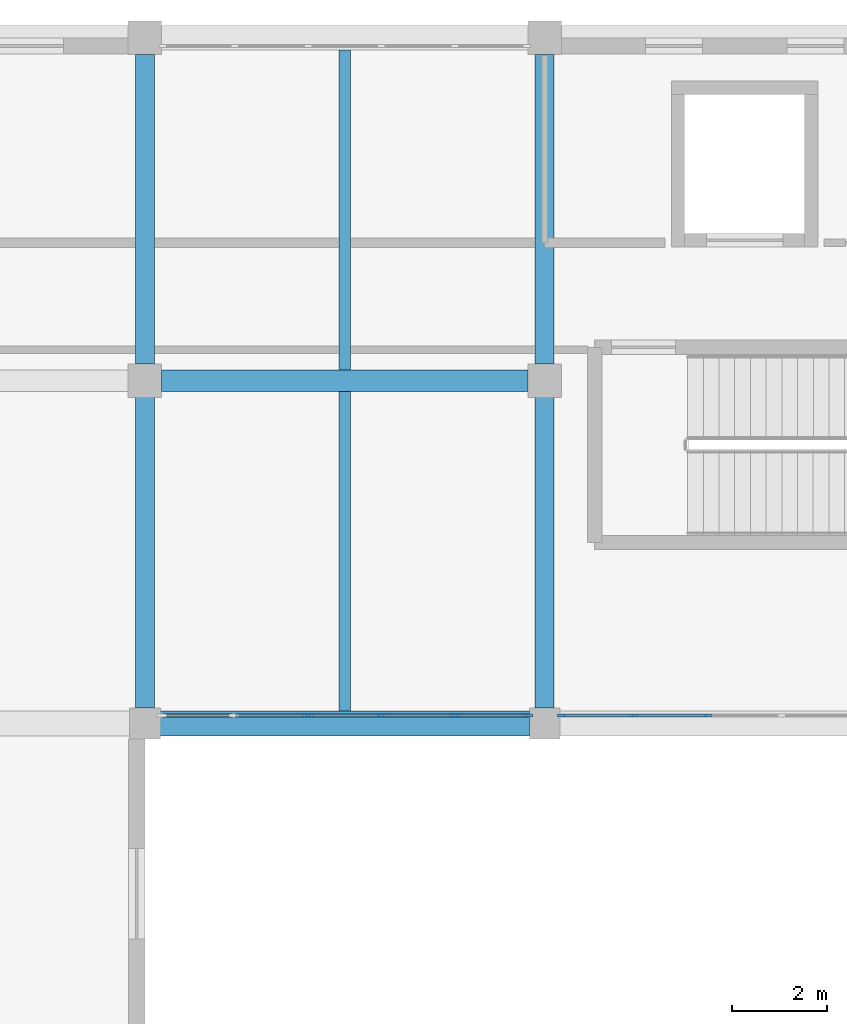
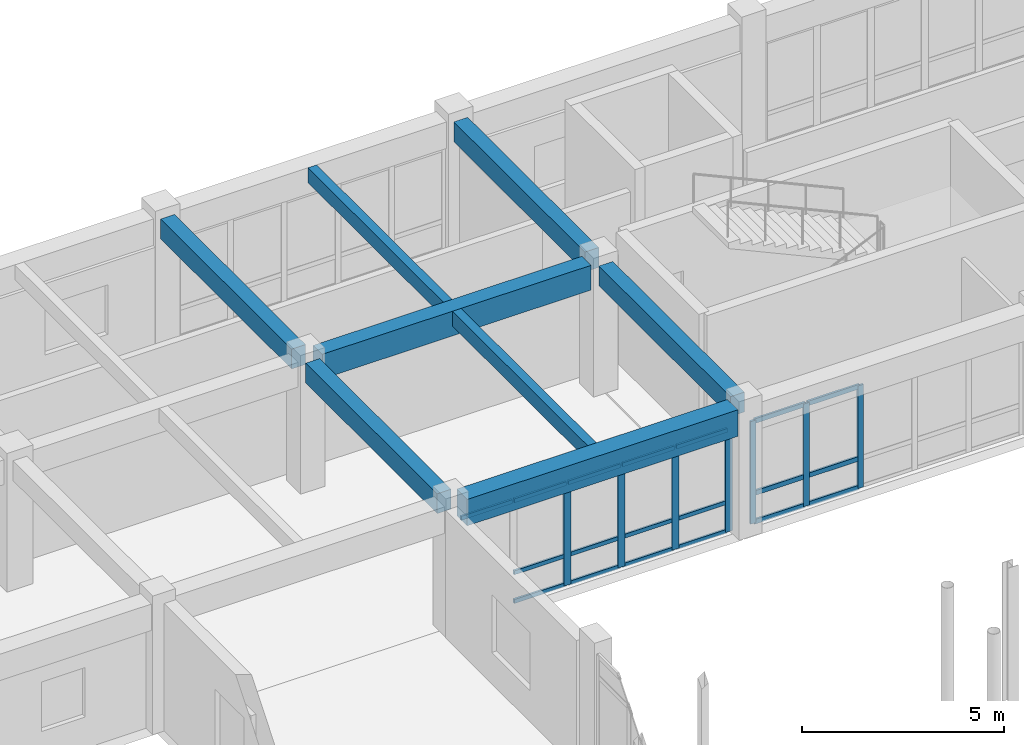
# One storey, part 75 of 147: 26 members, 8 beams, 2 elements without a shape of their own.
"""IFC4 building model written with IfcOpenShell, lengths in metres."""

from ifc_helpers import new_model, si_unit, direction, frame, origin, origin_2d, place, context, subcontext, project, spatial, rectangle, extrude, material, material_profile, profile_set, type_object, element, aggregate, save


model = new_model("IFC4")

# Units and contexts
model_context = context("Model", 3, precision=1e-05, world=origin(), true_north=direction((0.0, 1.0)))
body_context = subcontext(model_context, "Body", "Model", "MODEL_VIEW")
ifc_project = project(units=[si_unit("LENGTHUNIT", "METRE"), si_unit("AREAUNIT", "SQUARE_METRE"), si_unit("VOLUMEUNIT", "CUBIC_METRE"), si_unit("PLANEANGLEUNIT", "RADIAN"), si_unit("MASSUNIT", "GRAM", prefix="KILO")], contexts=[model_context])

# Site, building, storey
site_placement = place(None, origin())
site = spatial("IfcSite", under=ifc_project, at=site_placement, CompositionType="ELEMENT")
building_placement = place(site_placement, origin())
building = spatial("IfcBuilding", under=site, at=building_placement, Name="Malvenik Polytechnic", CompositionType="ELEMENT")
storey_placement = place(building_placement, frame((0.0, 0.0, 5.10009765625)))
storey = spatial("IfcBuildingStorey", under=building, at=storey_placement, Name="L01", CompositionType="ELEMENT", Elevation=5.10009765625)

# Curtain wall, members
ifc_material_1 = material(Name="Anodised aluminium 6060-T6", Category="aluminium")
curtain_wall_type = type_object("IfcCurtainWallType", Name="ARC-CW-CW-02", PredefinedType="NOTDEFINED", material=ifc_material_1)
curtain_wall_1_placement = place(storey_placement, origin())
curtain_wall_1 = element("IfcCurtainWall", 1, at=curtain_wall_1_placement, inside=storey, type_object=curtain_wall_type, Name="Unitised Curtain Wall CW-02 L01 #56", PredefinedType="NOTDEFINED")
ifc_material_2 = material(Name="Anodised aluminium", Category="aluminium")
ifc_material_profile_1 = material_profile(ifc_material_2, rectangle(XDim=0.06005859375, YDim=0.159912109375, at=origin_2d()), Name="ALU MULLION 60x160")
ifc_profile_set_1 = profile_set([ifc_material_profile_1], Name="Anodised aluminium")
member_type_1 = type_object("IfcMemberType", Name="ARC-CWM-160", PredefinedType="MULLION", material=ifc_profile_set_1)
member_1_placement = place(storey_placement, frame((95.82470703125, 115.3701171875, 0.0), z_axis=(0.0, 0.0, 1.0), x_axis=(0.0, -1.0, 0.0)))
member_1 = element("IfcMember", 2, at=member_1_placement, type_object=member_type_1, Name="CW-02 mullion 4", PredefinedType="MULLION", context=body_context, shape_type="SweptSolid", body=[
    extrude(rectangle(XDim=0.06005859375, YDim=0.159912109375, at=origin_2d()), origin(), (0.0, 0.0, 1.0), 3.10986328125),
])
member_2_placement = place(storey_placement, frame((94.273681640625, 115.3701171875, 0.0), z_axis=(0.0, 0.0, 1.0), x_axis=(0.0, -1.0, 0.0)))
member_2 = element("IfcMember", 3, at=member_2_placement, type_object=member_type_1, Name="CW-02 mullion 5", PredefinedType="MULLION", context=body_context, shape_type="SweptSolid", body=[
    extrude(rectangle(XDim=0.06005859375, YDim=0.159912109375, at=origin_2d()), origin(), (0.0, 0.0, 1.0), 3.10986328125),
])
member_3_placement = place(storey_placement, frame((92.7529296875, 115.3701171875, 0.0), z_axis=(0.0, 0.0, 1.0), x_axis=(0.0, -1.0, 0.0)))
member_3 = element("IfcMember", 4, at=member_3_placement, type_object=member_type_1, Name="CW-02 mullion 6", PredefinedType="MULLION", context=body_context, shape_type="SweptSolid", body=[
    extrude(rectangle(XDim=0.06005859375, YDim=0.159912109375, at=origin_2d()), origin(), (0.0, 0.0, 1.0), 3.10986328125),
])

curtain_wall_2_placement = place(storey_placement, origin())
curtain_wall_2 = element("IfcCurtainWall", 5, at=curtain_wall_2_placement, inside=storey, type_object=curtain_wall_type, Name="Unitised Curtain Wall CW-02 L01 #57", PredefinedType="NOTDEFINED")
ifc_material_profile_2 = material_profile(ifc_material_2, rectangle(XDim=0.06005859375, YDim=0.199951171875, at=origin_2d()), Name="ALU MULLION 60x200")
ifc_profile_set_2 = profile_set([ifc_material_profile_2], Name="Anodised aluminium")
member_type_2 = type_object("IfcMemberType", Name="ARC-CWM-200", PredefinedType="MULLION", material=ifc_profile_set_2)
member_4_placement = place(storey_placement, frame((92.047119140625, 115.3701171875, 0.0), z_axis=(0.0, 0.0, 1.0), x_axis=(0.0, -1.0, 0.0)))
member_4 = element("IfcMember", 6, at=member_4_placement, type_object=member_type_2, Name="CW-02 mullion 1", PredefinedType="MULLION", context=body_context, shape_type="SweptSolid", body=[
    extrude(rectangle(XDim=0.06005859375, YDim=0.199951171875, at=origin_2d()), origin(), (0.0, 0.0, 1.0), 3.10986328125),
])
member_5_placement = place(storey_placement, frame((90.526123046875, 115.3701171875, 0.0), z_axis=(0.0, 0.0, 1.0), x_axis=(0.0, -1.0, 0.0)))
member_5 = element("IfcMember", 7, at=member_5_placement, type_object=member_type_2, Name="CW-02 mullion 2", PredefinedType="MULLION", context=body_context, shape_type="SweptSolid", body=[
    extrude(rectangle(XDim=0.06005859375, YDim=0.199951171875, at=origin_2d()), origin(), (0.0, 0.0, 1.0), 3.10986328125),
])
member_6_placement = place(storey_placement, frame((88.975341796875, 115.3701171875, 0.0), z_axis=(0.0, 0.0, 1.0), x_axis=(0.0, -1.0, 0.0)))
member_6 = element("IfcMember", 8, at=member_6_placement, type_object=member_type_2, Name="CW-02 mullion 3", PredefinedType="MULLION", context=body_context, shape_type="SweptSolid", body=[
    extrude(rectangle(XDim=0.06005859375, YDim=0.199951171875, at=origin_2d()), origin(), (0.0, 0.0, 1.0), 3.10986328125),
])
member_7_placement = place(storey_placement, frame((87.424560546875, 115.3701171875, 0.0), z_axis=(0.0, 0.0, 1.0), x_axis=(0.0, -1.0, 0.0)))
member_7 = element("IfcMember", 9, at=member_7_placement, type_object=member_type_2, Name="CW-02 mullion 4", PredefinedType="MULLION", context=body_context, shape_type="SweptSolid", body=[
    extrude(rectangle(XDim=0.06005859375, YDim=0.199951171875, at=origin_2d()), origin(), (0.0, 0.0, 1.0), 3.10986328125),
])
ifc_material_profile_3 = material_profile(ifc_material_2, rectangle(XDim=0.06005859375, YDim=0.1201171875, at=origin_2d()), Name="ALU TRANSOM 60x120")
ifc_profile_set_3 = profile_set([ifc_material_profile_3], Name="Anodised aluminium")
member_type_3 = type_object("IfcMemberType", Name="ARC-CWT-120", PredefinedType="USERDEFINED", material=ifc_profile_set_3)
member_8_placement = place(storey_placement, frame((92.01708984375, 115.3701171875, 0.02978515625), z_axis=(-1.0, 0.0, 0.0), x_axis=(0.0, -1.0, 0.0)))
member_8 = element("IfcMember", 10, at=member_8_placement, type_object=member_type_3, Name="CW-02 transom 1.1", ObjectType="TRANSOM", PredefinedType="USERDEFINED", context=body_context, shape_type="SweptSolid", body=[
    extrude(rectangle(XDim=0.06005859375, YDim=0.1201171875, at=origin_2d()), origin(), (0.0, 0.0, 1.0), 1.4609375),
])
member_9_placement = place(storey_placement, frame((92.01708984375, 115.3701171875, 0.89990234375), z_axis=(-1.0, 0.0, 0.0), x_axis=(0.0, -1.0, 0.0)))
member_9 = element("IfcMember", 11, at=member_9_placement, type_object=member_type_3, Name="CW-02 transom 1.2", ObjectType="TRANSOM", PredefinedType="USERDEFINED", context=body_context, shape_type="SweptSolid", body=[
    extrude(rectangle(XDim=0.06005859375, YDim=0.1201171875, at=origin_2d()), origin(), (0.0, 0.0, 1.0), 1.4609375),
])
member_10_placement = place(storey_placement, frame((92.01708984375, 115.3701171875, 3.079833984375), z_axis=(-1.0, 0.0, 0.0), x_axis=(0.0, -1.0, 0.0)))
member_10 = element("IfcMember", 12, at=member_10_placement, type_object=member_type_3, Name="CW-02 transom 1.3", ObjectType="TRANSOM", PredefinedType="USERDEFINED", context=body_context, shape_type="SweptSolid", body=[
    extrude(rectangle(XDim=0.06005859375, YDim=0.1201171875, at=origin_2d()), origin(), (0.0, 0.0, 1.0), 1.4609375),
])
member_11_placement = place(storey_placement, frame((90.49609375, 115.3701171875, 0.02978515625), z_axis=(-1.0, 0.0, 0.0), x_axis=(0.0, -1.0, 0.0)))
member_11 = element("IfcMember", 13, at=member_11_placement, type_object=member_type_3, Name="CW-02 transom 2.1", ObjectType="TRANSOM", PredefinedType="USERDEFINED", context=body_context, shape_type="SweptSolid", body=[
    extrude(rectangle(XDim=0.06005859375, YDim=0.1201171875, at=origin_2d()), origin(), (0.0, 0.0, 1.0), 1.49072265625),
])
member_12_placement = place(storey_placement, frame((90.49609375, 115.3701171875, 0.89990234375), z_axis=(-1.0, 0.0, 0.0), x_axis=(0.0, -1.0, 0.0)))
member_12 = element("IfcMember", 14, at=member_12_placement, type_object=member_type_3, Name="CW-02 transom 2.2", ObjectType="TRANSOM", PredefinedType="USERDEFINED", context=body_context, shape_type="SweptSolid", body=[
    extrude(rectangle(XDim=0.06005859375, YDim=0.1201171875, at=origin_2d()), origin(), (0.0, 0.0, 1.0), 1.49072265625),
])
member_13_placement = place(storey_placement, frame((90.49609375, 115.3701171875, 3.079833984375), z_axis=(-1.0, 0.0, 0.0), x_axis=(0.0, -1.0, 0.0)))
member_13 = element("IfcMember", 15, at=member_13_placement, type_object=member_type_3, Name="CW-02 transom 2.3", ObjectType="TRANSOM", PredefinedType="USERDEFINED", context=body_context, shape_type="SweptSolid", body=[
    extrude(rectangle(XDim=0.06005859375, YDim=0.1201171875, at=origin_2d()), origin(), (0.0, 0.0, 1.0), 1.49072265625),
])
member_14_placement = place(storey_placement, frame((88.9453125, 115.3701171875, 0.02978515625), z_axis=(-1.0, 0.0, 0.0), x_axis=(0.0, -1.0, 0.0)))
member_14 = element("IfcMember", 16, at=member_14_placement, type_object=member_type_3, Name="CW-02 transom 3.1", ObjectType="TRANSOM", PredefinedType="USERDEFINED", context=body_context, shape_type="SweptSolid", body=[
    extrude(rectangle(XDim=0.06005859375, YDim=0.1201171875, at=origin_2d()), origin(), (0.0, 0.0, 1.0), 1.49072265625),
])
member_15_placement = place(storey_placement, frame((88.9453125, 115.3701171875, 0.89990234375), z_axis=(-1.0, 0.0, 0.0), x_axis=(0.0, -1.0, 0.0)))
member_15 = element("IfcMember", 17, at=member_15_placement, type_object=member_type_3, Name="CW-02 transom 3.2", ObjectType="TRANSOM", PredefinedType="USERDEFINED", context=body_context, shape_type="SweptSolid", body=[
    extrude(rectangle(XDim=0.06005859375, YDim=0.1201171875, at=origin_2d()), origin(), (0.0, 0.0, 1.0), 1.49072265625),
])
member_16_placement = place(storey_placement, frame((88.9453125, 115.3701171875, 3.079833984375), z_axis=(-1.0, 0.0, 0.0), x_axis=(0.0, -1.0, 0.0)))
member_16 = element("IfcMember", 18, at=member_16_placement, type_object=member_type_3, Name="CW-02 transom 3.3", ObjectType="TRANSOM", PredefinedType="USERDEFINED", context=body_context, shape_type="SweptSolid", body=[
    extrude(rectangle(XDim=0.06005859375, YDim=0.1201171875, at=origin_2d()), origin(), (0.0, 0.0, 1.0), 1.49072265625),
])
member_17_placement = place(storey_placement, frame((87.39453125, 115.3701171875, 0.02978515625), z_axis=(-1.0, 0.0, 0.0), x_axis=(0.0, -1.0, 0.0)))
member_17 = element("IfcMember", 19, at=member_17_placement, type_object=member_type_3, Name="CW-02 transom 4.1", ObjectType="TRANSOM", PredefinedType="USERDEFINED", context=body_context, shape_type="SweptSolid", body=[
    extrude(rectangle(XDim=0.06005859375, YDim=0.1201171875, at=origin_2d()), origin(), (0.0, 0.0, 1.0), 1.49072265625),
])
member_18_placement = place(storey_placement, frame((87.39453125, 115.3701171875, 0.89990234375), z_axis=(-1.0, 0.0, 0.0), x_axis=(0.0, -1.0, 0.0)))
member_18 = element("IfcMember", 20, at=member_18_placement, type_object=member_type_3, Name="CW-02 transom 4.2", ObjectType="TRANSOM", PredefinedType="USERDEFINED", context=body_context, shape_type="SweptSolid", body=[
    extrude(rectangle(XDim=0.06005859375, YDim=0.1201171875, at=origin_2d()), origin(), (0.0, 0.0, 1.0), 1.49072265625),
])
member_19_placement = place(storey_placement, frame((87.39453125, 115.3701171875, 3.079833984375), z_axis=(-1.0, 0.0, 0.0), x_axis=(0.0, -1.0, 0.0)))
member_19 = element("IfcMember", 21, at=member_19_placement, type_object=member_type_3, Name="CW-02 transom 4.3", ObjectType="TRANSOM", PredefinedType="USERDEFINED", context=body_context, shape_type="SweptSolid", body=[
    extrude(rectangle(XDim=0.06005859375, YDim=0.1201171875, at=origin_2d()), origin(), (0.0, 0.0, 1.0), 1.49072265625),
])
member_20_placement = place(storey_placement, frame((85.84375, 115.3701171875, 3.079833984375), z_axis=(-1.0, 0.0, 0.0), x_axis=(0.0, -1.0, 0.0)))
member_20 = element("IfcMember", 22, at=member_20_placement, type_object=member_type_3, Name="CW-02 transom 5.3", ObjectType="TRANSOM", PredefinedType="USERDEFINED", context=body_context, shape_type="SweptSolid", body=[
    extrude(rectangle(XDim=0.06005859375, YDim=0.1201171875, at=origin_2d()), origin(), (0.0, 0.0, 1.0), 1.460693359375),
])
aggregate(curtain_wall_2, [member_4, member_5, member_6, member_7, member_8, member_9, member_10, member_11, member_12, member_13, member_14, member_15, member_16, member_17, member_18, member_19, member_20])

# Member
ifc_material_profile_4 = material_profile(ifc_material_2, rectangle(XDim=0.06005859375, YDim=0.139892578125, at=origin_2d()), Name="ALU TRANSOM 60x140")
ifc_profile_set_4 = profile_set([ifc_material_profile_4], Name="Anodised aluminium")
member_type_4 = type_object("IfcMemberType", Name="ARC-CWT-140", PredefinedType="USERDEFINED", material=ifc_profile_set_4)
member_21_placement = place(storey_placement, frame((95.794677734375, 115.3701171875, 0.02978515625), z_axis=(-1.0, 0.0, 0.0), x_axis=(0.0, -1.0, 0.0)))
member_21 = element("IfcMember", 23, at=member_21_placement, type_object=member_type_4, Name="CW-02 transom 4.1", ObjectType="TRANSOM", PredefinedType="USERDEFINED", context=body_context, shape_type="SweptSolid", body=[
    extrude(rectangle(XDim=0.06005859375, YDim=0.139892578125, at=origin_2d()), origin(), (0.0, 0.0, 1.0), 1.490966796875),
])

member_22_placement = place(storey_placement, frame((95.794677734375, 115.3701171875, 0.89990234375), z_axis=(-1.0, 0.0, 0.0), x_axis=(0.0, -1.0, 0.0)))
member_22 = element("IfcMember", 24, at=member_22_placement, type_object=member_type_4, Name="CW-02 transom 4.2", ObjectType="TRANSOM", PredefinedType="USERDEFINED", context=body_context, shape_type="SweptSolid", body=[
    extrude(rectangle(XDim=0.06005859375, YDim=0.139892578125, at=origin_2d()), origin(), (0.0, 0.0, 1.0), 1.490966796875),
])

member_23_placement = place(storey_placement, frame((95.794677734375, 115.3701171875, 3.079833984375), z_axis=(-1.0, 0.0, 0.0), x_axis=(0.0, -1.0, 0.0)))
member_23 = element("IfcMember", 25, at=member_23_placement, type_object=member_type_4, Name="CW-02 transom 4.3", ObjectType="TRANSOM", PredefinedType="USERDEFINED", context=body_context, shape_type="SweptSolid", body=[
    extrude(rectangle(XDim=0.06005859375, YDim=0.139892578125, at=origin_2d()), origin(), (0.0, 0.0, 1.0), 1.490966796875),
])

member_24_placement = place(storey_placement, frame((94.243896484375, 115.3701171875, 0.02978515625), z_axis=(-1.0, 0.0, 0.0), x_axis=(0.0, -1.0, 0.0)))
member_24 = element("IfcMember", 26, at=member_24_placement, type_object=member_type_4, Name="CW-02 transom 5.1", ObjectType="TRANSOM", PredefinedType="USERDEFINED", context=body_context, shape_type="SweptSolid", body=[
    extrude(rectangle(XDim=0.06005859375, YDim=0.139892578125, at=origin_2d()), origin(), (0.0, 0.0, 1.0), 1.4609375),
])

member_25_placement = place(storey_placement, frame((94.243896484375, 115.3701171875, 0.89990234375), z_axis=(-1.0, 0.0, 0.0), x_axis=(0.0, -1.0, 0.0)))
member_25 = element("IfcMember", 27, at=member_25_placement, type_object=member_type_4, Name="CW-02 transom 5.2", ObjectType="TRANSOM", PredefinedType="USERDEFINED", context=body_context, shape_type="SweptSolid", body=[
    extrude(rectangle(XDim=0.06005859375, YDim=0.139892578125, at=origin_2d()), origin(), (0.0, 0.0, 1.0), 1.4609375),
])

member_26_placement = place(storey_placement, frame((94.243896484375, 115.3701171875, 3.079833984375), z_axis=(-1.0, 0.0, 0.0), x_axis=(0.0, -1.0, 0.0)))
member_26 = element("IfcMember", 28, at=member_26_placement, type_object=member_type_4, Name="CW-02 transom 5.3", ObjectType="TRANSOM", PredefinedType="USERDEFINED", context=body_context, shape_type="SweptSolid", body=[
    extrude(rectangle(XDim=0.06005859375, YDim=0.139892578125, at=origin_2d()), origin(), (0.0, 0.0, 1.0), 1.4609375),
])

aggregate(curtain_wall_1, [member_1, member_2, member_3, member_21, member_22, member_23, member_24, member_25, member_26])

# Beams
ifc_material_3 = material(Name="Concrete C35/45", Category="concrete")
ifc_material_profile_5 = material_profile(ifc_material_3, rectangle(XDim=0.449951171875, YDim=0.75, at=origin_2d()), Name="RC BM 450x750")
ifc_profile_set_5 = profile_set([ifc_material_profile_5], Name="Concrete C35/45")
beam_type_1 = type_object("IfcBeamType", Name="STR-BM-B-03", PredefinedType="BEAM", material=ifc_profile_set_5)
beam_1_placement = place(storey_placement, frame((84.347900390625, 122.39990234375, 3.544921875), z_axis=(1.0, 0.0, 0.0), x_axis=(0.0, 1.0, 0.0)))
element("IfcBeam", 29, at=beam_1_placement, inside=storey, type_object=beam_type_1, Name="Primary Beam B-03 L01 #1107", PredefinedType="BEAM", context=body_context, shape_type="SweptSolid", body=[
    extrude(rectangle(XDim=0.449951171875, YDim=0.75, at=origin_2d()), origin(), (0.0, 0.0, 1.0), 7.7041015625),
])
ifc_material_profile_6 = material_profile(ifc_material_3, rectangle(XDim=0.39990234375, YDim=0.60009765625, at=origin_2d()), Name="RC BM 400x600")
ifc_profile_set_6 = profile_set([ifc_material_profile_6], Name="Concrete C35/45")
beam_type_2 = type_object("IfcBeamType", Name="STR-BM-B-06", PredefinedType="BEAM", material=ifc_profile_set_6)
beam_2_placement = place(storey_placement, frame((84.0, 115.52294921875, 3.619873046875), z_axis=(0.0, 1.0, 0.0), x_axis=(-1.0, 0.0, 0.0)))
element("IfcBeam", 30, at=beam_2_placement, inside=storey, type_object=beam_type_2, Name="Transverse Beam B-06 L01 #1195", PredefinedType="BEAM", context=body_context, shape_type="SweptSolid", body=[
    extrude(rectangle(XDim=0.39990234375, YDim=0.60009765625, at=origin_2d()), origin(), (0.0, 0.0, 1.0), 6.529052734375),
])
beam_3_placement = place(storey_placement, frame((84.0, 122.748046875, 3.619873046875), z_axis=(0.0, 1.0, 0.0), x_axis=(-1.0, 0.0, 0.0)))
element("IfcBeam", 31, at=beam_3_placement, inside=storey, type_object=beam_type_2, Name="Transverse Beam B-06 L01 #1196", PredefinedType="BEAM", context=body_context, shape_type="SweptSolid", body=[
    extrude(rectangle(XDim=0.39990234375, YDim=0.60009765625, at=origin_2d()), origin(), (0.0, 0.0, 1.0), 6.50390625),
])
beam_4_placement = place(storey_placement, frame((92.39990234375, 115.52294921875, 3.619873046875), z_axis=(0.0, 1.0, 0.0), x_axis=(-1.0, 0.0, 0.0)))
element("IfcBeam", 32, at=beam_4_placement, inside=storey, type_object=beam_type_2, Name="Transverse Beam B-06 L01 #1205", PredefinedType="BEAM", context=body_context, shape_type="SweptSolid", body=[
    extrude(rectangle(XDim=0.39990234375, YDim=0.60009765625, at=origin_2d()), origin(), (0.0, 0.0, 1.0), 6.529052734375),
])
beam_5_placement = place(storey_placement, frame((92.39990234375, 122.748046875, 3.619873046875), z_axis=(0.0, 1.0, 0.0), x_axis=(-1.0, 0.0, 0.0)))
element("IfcBeam", 33, at=beam_5_placement, inside=storey, type_object=beam_type_2, Name="Transverse Beam B-06 L01 #1206", PredefinedType="BEAM", context=body_context, shape_type="SweptSolid", body=[
    extrude(rectangle(XDim=0.39990234375, YDim=0.60009765625, at=origin_2d()), origin(), (0.0, 0.0, 1.0), 6.50390625),
])
ifc_material_4 = material(Name="Concrete C30/37", Category="concrete")
ifc_material_profile_7 = material_profile(ifc_material_4, rectangle(XDim=0.25, YDim=0.449951171875, at=origin_2d()), Name="RC JST 250x450")
ifc_profile_set_7 = profile_set([ifc_material_profile_7], Name="Concrete C30/37")
beam_type_3 = type_object("IfcBeamType", Name="STR-BM-J-02", PredefinedType="JOIST", material=ifc_profile_set_7)
for number, where, z_axis, x_axis, name in (
    (34, (88.199951171875, 115.4580078125, 3.69482421875), (0.0, 1.0, 0.0), (-1.0, 0.0, 0.0), "Secondary Rib Joist J-02 L01 #1300"),
    (35, (88.199951171875, 122.623046875, 3.69482421875), (0.0, 1.0, 0.0), (-1.0, 0.0, 0.0), "Secondary Rib Joist J-02 L01 #1301"),
):
    element("IfcBeam", number, at=place(storey_placement, frame(where, z_axis=z_axis, x_axis=x_axis)), inside=storey, type_object=beam_type_3, Name=name, PredefinedType="JOIST", context=body_context, shape_type="SweptSolid", body=[
        extrude(rectangle(XDim=0.25, YDim=0.449951171875, at=origin_2d()), origin(), (0.0, 0.0, 1.0), 6.718994140625),
    ])
ifc_material_5 = material(Name="Precast concrete C40/50", Category="concrete")
ifc_material_profile_8 = material_profile(ifc_material_5, rectangle(XDim=0.52001953125, YDim=0.800048828125, at=origin_2d()), Name="PC SPN 520x800")
ifc_profile_set_8 = profile_set([ifc_material_profile_8], Name="Precast concrete C40/50")
beam_type_4 = type_object("IfcBeamType", Name="STR-BM-SP-01", PredefinedType="SPANDREL", material=ifc_profile_set_8)
beam_6_placement = place(storey_placement, frame((84.322998046875, 115.199951171875, 3.52001953125), z_axis=(1.0, 0.0, 0.0), x_axis=(0.0, 1.0, 0.0)))
element("IfcBeam", 36, at=beam_6_placement, inside=storey, type_object=beam_type_4, Name="Primary Beam SP-01 L01 #1095", PredefinedType="SPANDREL", context=body_context, shape_type="SweptSolid", body=[
    extrude(rectangle(XDim=0.52001953125, YDim=0.800048828125, at=origin_2d()), origin(), (0.0, 0.0, 1.0), 7.75390625),
])

save(model, "model.ifc")
